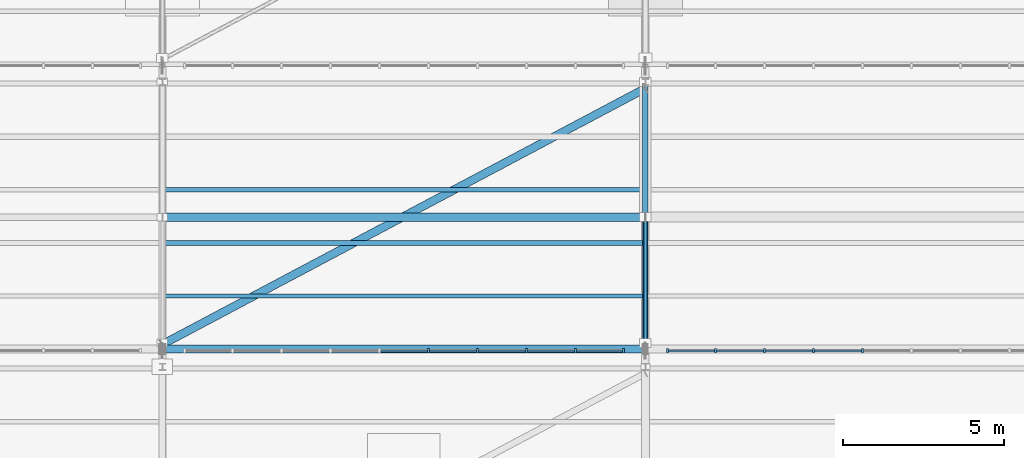
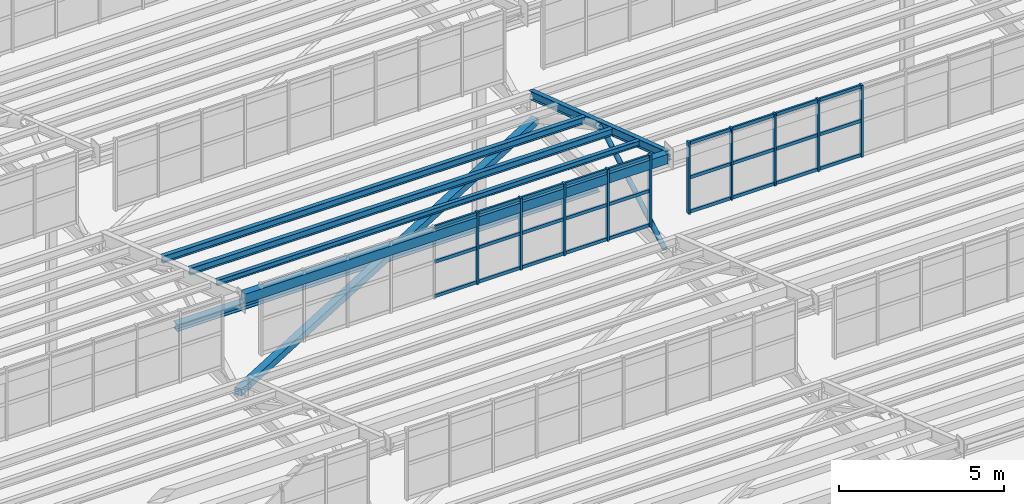
# One storey, part 85 of 285: 41 members, 5 beams, 2 elements without a shape of their own.
"""IFC4 building model written with IfcOpenShell, lengths in metres."""

from ifc_helpers import new_model, si_unit, direction, frame, origin, origin_2d, place, context, subcontext, project, spatial, rectangle, hollow_rectangle, hollow_circle, i_section, extrude, material, material_profile, profile_set, type_object, element, aggregate, save


model = new_model("IFC4")

# Units and contexts
model_context = context("Model", 3, precision=1e-05, world=origin(), true_north=direction((0.0, 1.0)))
body_context = subcontext(model_context, "Body", "Model", "MODEL_VIEW")
ifc_project = project(units=[si_unit("LENGTHUNIT", "METRE"), si_unit("AREAUNIT", "SQUARE_METRE"), si_unit("VOLUMEUNIT", "CUBIC_METRE"), si_unit("PLANEANGLEUNIT", "RADIAN"), si_unit("MASSUNIT", "GRAM", prefix="KILO")], contexts=[model_context])

# Site, building, storey
site_placement = place(None, origin())
site = spatial("IfcSite", under=ifc_project, at=site_placement, CompositionType="ELEMENT")
building_placement = place(site_placement, origin())
building = spatial("IfcBuilding", under=site, at=building_placement, Name="Solanera Park Tramway Depot", CompositionType="ELEMENT")
storey_placement = place(building_placement, origin())
storey = spatial("IfcBuildingStorey", under=building, at=storey_placement, Name="L00", CompositionType="ELEMENT", Elevation=0.0)

# Curtain wall, members
ifc_material_1 = material(Name="Bronze-anodised thermally broken aluminium curtain wall", Category="aluminium")
curtain_wall_type = type_object("IfcCurtainWallType", Name="Sawtooth Clerestory Monitor Curtain Wall", PredefinedType="NOTDEFINED", material=ifc_material_1)
curtain_wall_1_placement = place(storey_placement, origin())
curtain_wall_1 = element("IfcCurtainWall", 1, at=curtain_wall_1_placement, inside=storey, type_object=curtain_wall_type, Name="L00 Sawtooth Clerestory Monitor Curtain Wall #017", PredefinedType="NOTDEFINED")
ifc_material_2 = material(Name="Bronze-anodised structural aluminium 6063-T6", Category="aluminium")
ifc_material_profile_1 = material_profile(ifc_material_2, rectangle(XDim=0.06494140625, YDim=0.14990234375, at=origin_2d()), Name="Curtain Wall Mullion 65x150")
ifc_profile_set_1 = profile_set([ifc_material_profile_1], Name="Bronze-anodised structural aluminium 6063-T6")
member_type_1 = type_object("IfcMemberType", Name="Curtain Wall Mullion 65x150", PredefinedType="MULLION", material=ifc_profile_set_1)
member_1_placement = place(storey_placement, frame((98.260986328125, 73.449951171875, 7.75), z_axis=(0.0, 0.0, 1.0), x_axis=(1.0, 0.0, 0.0)))
member_1 = element("IfcMember", 2, at=member_1_placement, type_object=member_type_1, Name="CW-L00-017 Mullion 6", PredefinedType="MULLION", context=body_context, shape_type="SweptSolid", body=[
    extrude(rectangle(XDim=0.06494140625, YDim=0.14990234375, at=origin_2d()), origin(), (0.0, 0.0, 1.0), 2.6611328125),
])
member_2_placement = place(storey_placement, frame((99.783203125, 73.449951171875, 7.75), z_axis=(0.0, 0.0, 1.0), x_axis=(1.0, 0.0, 0.0)))
member_2 = element("IfcMember", 3, at=member_2_placement, type_object=member_type_1, Name="CW-L00-017 Mullion 7", PredefinedType="MULLION", context=body_context, shape_type="SweptSolid", body=[
    extrude(rectangle(XDim=0.06494140625, YDim=0.14990234375, at=origin_2d()), origin(), (0.0, 0.0, 1.0), 2.6611328125),
])
member_3_placement = place(storey_placement, frame((101.3056640625, 73.449951171875, 7.75), z_axis=(0.0, 0.0, 1.0), x_axis=(1.0, 0.0, 0.0)))
member_3 = element("IfcMember", 4, at=member_3_placement, type_object=member_type_1, Name="CW-L00-017 Mullion 8", PredefinedType="MULLION", context=body_context, shape_type="SweptSolid", body=[
    extrude(rectangle(XDim=0.06494140625, YDim=0.14990234375, at=origin_2d()), origin(), (0.0, 0.0, 1.0), 2.6611328125),
])
member_4_placement = place(storey_placement, frame((102.827880859375, 73.449951171875, 7.75), z_axis=(0.0, 0.0, 1.0), x_axis=(1.0, 0.0, 0.0)))
member_4 = element("IfcMember", 5, at=member_4_placement, type_object=member_type_1, Name="CW-L00-017 Mullion 9", PredefinedType="MULLION", context=body_context, shape_type="SweptSolid", body=[
    extrude(rectangle(XDim=0.06494140625, YDim=0.14990234375, at=origin_2d()), origin(), (0.0, 0.0, 1.0), 2.6611328125),
])
member_5_placement = place(storey_placement, frame((104.3173828125, 73.449951171875, 7.75), z_axis=(0.0, 0.0, 1.0), x_axis=(1.0, 0.0, 0.0)))
member_5 = element("IfcMember", 6, at=member_5_placement, type_object=member_type_1, Name="CW-L00-017 Mullion 10", PredefinedType="MULLION", context=body_context, shape_type="SweptSolid", body=[
    extrude(rectangle(XDim=0.06494140625, YDim=0.14990234375, at=origin_2d()), origin(), (0.0, 0.0, 1.0), 2.6611328125),
])

curtain_wall_2_placement = place(storey_placement, origin())
curtain_wall_2 = element("IfcCurtainWall", 7, at=curtain_wall_2_placement, inside=storey, type_object=curtain_wall_type, Name="L00 Sawtooth Clerestory Monitor Curtain Wall #018", PredefinedType="NOTDEFINED")
member_6_placement = place(storey_placement, frame((105.6826171875, 73.449951171875, 7.75), z_axis=(0.0, 0.0, 1.0), x_axis=(1.0, 0.0, 0.0)))
member_6 = element("IfcMember", 8, at=member_6_placement, type_object=member_type_1, Name="CW-L00-018 Mullion 1", PredefinedType="MULLION", context=body_context, shape_type="SweptSolid", body=[
    extrude(rectangle(XDim=0.06494140625, YDim=0.14990234375, at=origin_2d()), origin(), (0.0, 0.0, 1.0), 2.6611328125),
])
member_7_placement = place(storey_placement, frame((107.172119140625, 73.449951171875, 7.75), z_axis=(0.0, 0.0, 1.0), x_axis=(1.0, 0.0, 0.0)))
member_7 = element("IfcMember", 9, at=member_7_placement, type_object=member_type_1, Name="CW-L00-018 Mullion 2", PredefinedType="MULLION", context=body_context, shape_type="SweptSolid", body=[
    extrude(rectangle(XDim=0.06494140625, YDim=0.14990234375, at=origin_2d()), origin(), (0.0, 0.0, 1.0), 2.6611328125),
])
member_8_placement = place(storey_placement, frame((108.6943359375, 73.449951171875, 7.75), z_axis=(0.0, 0.0, 1.0), x_axis=(1.0, 0.0, 0.0)))
member_8 = element("IfcMember", 10, at=member_8_placement, type_object=member_type_1, Name="CW-L00-018 Mullion 3", PredefinedType="MULLION", context=body_context, shape_type="SweptSolid", body=[
    extrude(rectangle(XDim=0.06494140625, YDim=0.14990234375, at=origin_2d()), origin(), (0.0, 0.0, 1.0), 2.6611328125),
])
member_9_placement = place(storey_placement, frame((110.216796875, 73.449951171875, 7.75), z_axis=(0.0, 0.0, 1.0), x_axis=(1.0, 0.0, 0.0)))
member_9 = element("IfcMember", 11, at=member_9_placement, type_object=member_type_1, Name="CW-L00-018 Mullion 4", PredefinedType="MULLION", context=body_context, shape_type="SweptSolid", body=[
    extrude(rectangle(XDim=0.06494140625, YDim=0.14990234375, at=origin_2d()), origin(), (0.0, 0.0, 1.0), 2.6611328125),
])
member_10_placement = place(storey_placement, frame((111.739013671875, 73.449951171875, 7.75), z_axis=(0.0, 0.0, 1.0), x_axis=(1.0, 0.0, 0.0)))
member_10 = element("IfcMember", 12, at=member_10_placement, type_object=member_type_1, Name="CW-L00-018 Mullion 5", PredefinedType="MULLION", context=body_context, shape_type="SweptSolid", body=[
    extrude(rectangle(XDim=0.06494140625, YDim=0.14990234375, at=origin_2d()), origin(), (0.0, 0.0, 1.0), 2.6611328125),
])

# Member
ifc_material_3 = material(Name="Bronze-anodised structural aluminium 6063-T6", Category="aluminium")
ifc_material_profile_2 = material_profile(ifc_material_3, rectangle(XDim=0.06494140625, YDim=0.1201171875, at=origin_2d()), Name="Curtain Wall Transom 65x120")
ifc_profile_set_2 = profile_set([ifc_material_profile_2], Name="Bronze-anodised structural aluminium 6063-T6")
member_type_2 = type_object("IfcMemberType", Name="Curtain Wall Transom 65x120", PredefinedType="USERDEFINED", material=ifc_profile_set_2)
member_11_placement = place(storey_placement, frame((96.766845703125, 73.449951171875, 7.81005859375), z_axis=(1.0, 0.0, 0.0), x_axis=(0.0, 1.0, 0.0)))
member_11 = element("IfcMember", 13, at=member_11_placement, type_object=member_type_2, Name="CW-L00-017 Transom R1.C5", ObjectType="TRANSOM", PredefinedType="USERDEFINED", context=body_context, shape_type="SweptSolid", body=[
    extrude(rectangle(XDim=0.06494140625, YDim=0.1201171875, at=origin_2d()), origin(), (0.0, 0.0, 1.0), 1.46630859375),
])

member_12_placement = place(storey_placement, frame((98.2890625, 73.449951171875, 7.81005859375), z_axis=(1.0, 0.0, 0.0), x_axis=(0.0, 1.0, 0.0)))
member_12 = element("IfcMember", 14, at=member_12_placement, type_object=member_type_2, Name="CW-L00-017 Transom R1.C6", ObjectType="TRANSOM", PredefinedType="USERDEFINED", context=body_context, shape_type="SweptSolid", body=[
    extrude(rectangle(XDim=0.06494140625, YDim=0.1201171875, at=origin_2d()), origin(), (0.0, 0.0, 1.0), 1.46630859375),
])

member_13_placement = place(storey_placement, frame((99.811279296875, 73.449951171875, 7.81005859375), z_axis=(1.0, 0.0, 0.0), x_axis=(0.0, 1.0, 0.0)))
member_13 = element("IfcMember", 15, at=member_13_placement, type_object=member_type_2, Name="CW-L00-017 Transom R1.C7", ObjectType="TRANSOM", PredefinedType="USERDEFINED", context=body_context, shape_type="SweptSolid", body=[
    extrude(rectangle(XDim=0.06494140625, YDim=0.1201171875, at=origin_2d()), origin(), (0.0, 0.0, 1.0), 1.46630859375),
])

member_14_placement = place(storey_placement, frame((101.33349609375, 73.449951171875, 7.81005859375), z_axis=(1.0, 0.0, 0.0), x_axis=(0.0, 1.0, 0.0)))
member_14 = element("IfcMember", 16, at=member_14_placement, type_object=member_type_2, Name="CW-L00-017 Transom R1.C8", ObjectType="TRANSOM", PredefinedType="USERDEFINED", context=body_context, shape_type="SweptSolid", body=[
    extrude(rectangle(XDim=0.06494140625, YDim=0.1201171875, at=origin_2d()), origin(), (0.0, 0.0, 1.0), 1.46630859375),
])

member_15_placement = place(storey_placement, frame((102.855712890625, 73.449951171875, 7.81005859375), z_axis=(1.0, 0.0, 0.0), x_axis=(0.0, 1.0, 0.0)))
member_15 = element("IfcMember", 17, at=member_15_placement, type_object=member_type_2, Name="CW-L00-017 Transom R1.C9", ObjectType="TRANSOM", PredefinedType="USERDEFINED", context=body_context, shape_type="SweptSolid", body=[
    extrude(rectangle(XDim=0.06494140625, YDim=0.1201171875, at=origin_2d()), origin(), (0.0, 0.0, 1.0), 1.433837890625),
])

member_16_placement = place(storey_placement, frame((96.766845703125, 73.449951171875, 9.08056640625), z_axis=(1.0, 0.0, 0.0), x_axis=(0.0, 1.0, 0.0)))
member_16 = element("IfcMember", 18, at=member_16_placement, type_object=member_type_2, Name="CW-L00-017 Transom R2.C5", ObjectType="TRANSOM", PredefinedType="USERDEFINED", context=body_context, shape_type="SweptSolid", body=[
    extrude(rectangle(XDim=0.06494140625, YDim=0.1201171875, at=origin_2d()), origin(), (0.0, 0.0, 1.0), 1.46630859375),
])

member_17_placement = place(storey_placement, frame((98.2890625, 73.449951171875, 9.08056640625), z_axis=(1.0, 0.0, 0.0), x_axis=(0.0, 1.0, 0.0)))
member_17 = element("IfcMember", 19, at=member_17_placement, type_object=member_type_2, Name="CW-L00-017 Transom R2.C6", ObjectType="TRANSOM", PredefinedType="USERDEFINED", context=body_context, shape_type="SweptSolid", body=[
    extrude(rectangle(XDim=0.06494140625, YDim=0.1201171875, at=origin_2d()), origin(), (0.0, 0.0, 1.0), 1.46630859375),
])

member_18_placement = place(storey_placement, frame((99.811279296875, 73.449951171875, 9.08056640625), z_axis=(1.0, 0.0, 0.0), x_axis=(0.0, 1.0, 0.0)))
member_18 = element("IfcMember", 20, at=member_18_placement, type_object=member_type_2, Name="CW-L00-017 Transom R2.C7", ObjectType="TRANSOM", PredefinedType="USERDEFINED", context=body_context, shape_type="SweptSolid", body=[
    extrude(rectangle(XDim=0.06494140625, YDim=0.1201171875, at=origin_2d()), origin(), (0.0, 0.0, 1.0), 1.46630859375),
])

member_19_placement = place(storey_placement, frame((101.33349609375, 73.449951171875, 9.08056640625), z_axis=(1.0, 0.0, 0.0), x_axis=(0.0, 1.0, 0.0)))
member_19 = element("IfcMember", 21, at=member_19_placement, type_object=member_type_2, Name="CW-L00-017 Transom R2.C8", ObjectType="TRANSOM", PredefinedType="USERDEFINED", context=body_context, shape_type="SweptSolid", body=[
    extrude(rectangle(XDim=0.06494140625, YDim=0.1201171875, at=origin_2d()), origin(), (0.0, 0.0, 1.0), 1.46630859375),
])

member_20_placement = place(storey_placement, frame((102.855712890625, 73.449951171875, 9.08056640625), z_axis=(1.0, 0.0, 0.0), x_axis=(0.0, 1.0, 0.0)))
member_20 = element("IfcMember", 22, at=member_20_placement, type_object=member_type_2, Name="CW-L00-017 Transom R2.C9", ObjectType="TRANSOM", PredefinedType="USERDEFINED", context=body_context, shape_type="SweptSolid", body=[
    extrude(rectangle(XDim=0.06494140625, YDim=0.1201171875, at=origin_2d()), origin(), (0.0, 0.0, 1.0), 1.433837890625),
])

member_21_placement = place(storey_placement, frame((96.766845703125, 73.449951171875, 10.351318359375), z_axis=(1.0, 0.0, 0.0), x_axis=(0.0, 1.0, 0.0)))
member_21 = element("IfcMember", 23, at=member_21_placement, type_object=member_type_2, Name="CW-L00-017 Transom R3.C5", ObjectType="TRANSOM", PredefinedType="USERDEFINED", context=body_context, shape_type="SweptSolid", body=[
    extrude(rectangle(XDim=0.06494140625, YDim=0.1201171875, at=origin_2d()), origin(), (0.0, 0.0, 1.0), 1.46630859375),
])

member_22_placement = place(storey_placement, frame((98.2890625, 73.449951171875, 10.351318359375), z_axis=(1.0, 0.0, 0.0), x_axis=(0.0, 1.0, 0.0)))
member_22 = element("IfcMember", 24, at=member_22_placement, type_object=member_type_2, Name="CW-L00-017 Transom R3.C6", ObjectType="TRANSOM", PredefinedType="USERDEFINED", context=body_context, shape_type="SweptSolid", body=[
    extrude(rectangle(XDim=0.06494140625, YDim=0.1201171875, at=origin_2d()), origin(), (0.0, 0.0, 1.0), 1.46630859375),
])

member_23_placement = place(storey_placement, frame((99.811279296875, 73.449951171875, 10.351318359375), z_axis=(1.0, 0.0, 0.0), x_axis=(0.0, 1.0, 0.0)))
member_23 = element("IfcMember", 25, at=member_23_placement, type_object=member_type_2, Name="CW-L00-017 Transom R3.C7", ObjectType="TRANSOM", PredefinedType="USERDEFINED", context=body_context, shape_type="SweptSolid", body=[
    extrude(rectangle(XDim=0.06494140625, YDim=0.1201171875, at=origin_2d()), origin(), (0.0, 0.0, 1.0), 1.46630859375),
])

member_24_placement = place(storey_placement, frame((101.33349609375, 73.449951171875, 10.351318359375), z_axis=(1.0, 0.0, 0.0), x_axis=(0.0, 1.0, 0.0)))
member_24 = element("IfcMember", 26, at=member_24_placement, type_object=member_type_2, Name="CW-L00-017 Transom R3.C8", ObjectType="TRANSOM", PredefinedType="USERDEFINED", context=body_context, shape_type="SweptSolid", body=[
    extrude(rectangle(XDim=0.06494140625, YDim=0.1201171875, at=origin_2d()), origin(), (0.0, 0.0, 1.0), 1.46630859375),
])

member_25_placement = place(storey_placement, frame((102.855712890625, 73.449951171875, 10.351318359375), z_axis=(1.0, 0.0, 0.0), x_axis=(0.0, 1.0, 0.0)))
member_25 = element("IfcMember", 27, at=member_25_placement, type_object=member_type_2, Name="CW-L00-017 Transom R3.C9", ObjectType="TRANSOM", PredefinedType="USERDEFINED", context=body_context, shape_type="SweptSolid", body=[
    extrude(rectangle(XDim=0.06494140625, YDim=0.1201171875, at=origin_2d()), origin(), (0.0, 0.0, 1.0), 1.433837890625),
])

aggregate(curtain_wall_1, [member_1, member_2, member_3, member_4, member_5, member_11, member_12, member_13, member_14, member_15, member_16, member_17, member_18, member_19, member_20, member_21, member_22, member_23, member_24, member_25])

member_26_placement = place(storey_placement, frame((105.71044921875, 73.449951171875, 7.81005859375), z_axis=(1.0, 0.0, 0.0), x_axis=(0.0, 1.0, 0.0)))
member_26 = element("IfcMember", 28, at=member_26_placement, type_object=member_type_2, Name="CW-L00-018 Transom R1.C1", ObjectType="TRANSOM", PredefinedType="USERDEFINED", context=body_context, shape_type="SweptSolid", body=[
    extrude(rectangle(XDim=0.06494140625, YDim=0.1201171875, at=origin_2d()), origin(), (0.0, 0.0, 1.0), 1.433837890625),
])

member_27_placement = place(storey_placement, frame((107.2001953125, 73.449951171875, 7.81005859375), z_axis=(1.0, 0.0, 0.0), x_axis=(0.0, 1.0, 0.0)))
member_27 = element("IfcMember", 29, at=member_27_placement, type_object=member_type_2, Name="CW-L00-018 Transom R1.C2", ObjectType="TRANSOM", PredefinedType="USERDEFINED", context=body_context, shape_type="SweptSolid", body=[
    extrude(rectangle(XDim=0.06494140625, YDim=0.1201171875, at=origin_2d()), origin(), (0.0, 0.0, 1.0), 1.46630859375),
])

member_28_placement = place(storey_placement, frame((108.722412109375, 73.449951171875, 7.81005859375), z_axis=(1.0, 0.0, 0.0), x_axis=(0.0, 1.0, 0.0)))
member_28 = element("IfcMember", 30, at=member_28_placement, type_object=member_type_2, Name="CW-L00-018 Transom R1.C3", ObjectType="TRANSOM", PredefinedType="USERDEFINED", context=body_context, shape_type="SweptSolid", body=[
    extrude(rectangle(XDim=0.06494140625, YDim=0.1201171875, at=origin_2d()), origin(), (0.0, 0.0, 1.0), 1.46630859375),
])

member_29_placement = place(storey_placement, frame((110.24462890625, 73.449951171875, 7.81005859375), z_axis=(1.0, 0.0, 0.0), x_axis=(0.0, 1.0, 0.0)))
member_29 = element("IfcMember", 31, at=member_29_placement, type_object=member_type_2, Name="CW-L00-018 Transom R1.C4", ObjectType="TRANSOM", PredefinedType="USERDEFINED", context=body_context, shape_type="SweptSolid", body=[
    extrude(rectangle(XDim=0.06494140625, YDim=0.1201171875, at=origin_2d()), origin(), (0.0, 0.0, 1.0), 1.46630859375),
])

member_30_placement = place(storey_placement, frame((105.71044921875, 73.449951171875, 9.08056640625), z_axis=(1.0, 0.0, 0.0), x_axis=(0.0, 1.0, 0.0)))
member_30 = element("IfcMember", 32, at=member_30_placement, type_object=member_type_2, Name="CW-L00-018 Transom R2.C1", ObjectType="TRANSOM", PredefinedType="USERDEFINED", context=body_context, shape_type="SweptSolid", body=[
    extrude(rectangle(XDim=0.06494140625, YDim=0.1201171875, at=origin_2d()), origin(), (0.0, 0.0, 1.0), 1.433837890625),
])

member_31_placement = place(storey_placement, frame((107.2001953125, 73.449951171875, 9.08056640625), z_axis=(1.0, 0.0, 0.0), x_axis=(0.0, 1.0, 0.0)))
member_31 = element("IfcMember", 33, at=member_31_placement, type_object=member_type_2, Name="CW-L00-018 Transom R2.C2", ObjectType="TRANSOM", PredefinedType="USERDEFINED", context=body_context, shape_type="SweptSolid", body=[
    extrude(rectangle(XDim=0.06494140625, YDim=0.1201171875, at=origin_2d()), origin(), (0.0, 0.0, 1.0), 1.46630859375),
])

member_32_placement = place(storey_placement, frame((108.722412109375, 73.449951171875, 9.08056640625), z_axis=(1.0, 0.0, 0.0), x_axis=(0.0, 1.0, 0.0)))
member_32 = element("IfcMember", 34, at=member_32_placement, type_object=member_type_2, Name="CW-L00-018 Transom R2.C3", ObjectType="TRANSOM", PredefinedType="USERDEFINED", context=body_context, shape_type="SweptSolid", body=[
    extrude(rectangle(XDim=0.06494140625, YDim=0.1201171875, at=origin_2d()), origin(), (0.0, 0.0, 1.0), 1.46630859375),
])

member_33_placement = place(storey_placement, frame((110.24462890625, 73.449951171875, 9.08056640625), z_axis=(1.0, 0.0, 0.0), x_axis=(0.0, 1.0, 0.0)))
member_33 = element("IfcMember", 35, at=member_33_placement, type_object=member_type_2, Name="CW-L00-018 Transom R2.C4", ObjectType="TRANSOM", PredefinedType="USERDEFINED", context=body_context, shape_type="SweptSolid", body=[
    extrude(rectangle(XDim=0.06494140625, YDim=0.1201171875, at=origin_2d()), origin(), (0.0, 0.0, 1.0), 1.46630859375),
])

member_34_placement = place(storey_placement, frame((105.71044921875, 73.449951171875, 10.351318359375), z_axis=(1.0, 0.0, 0.0), x_axis=(0.0, 1.0, 0.0)))
member_34 = element("IfcMember", 36, at=member_34_placement, type_object=member_type_2, Name="CW-L00-018 Transom R3.C1", ObjectType="TRANSOM", PredefinedType="USERDEFINED", context=body_context, shape_type="SweptSolid", body=[
    extrude(rectangle(XDim=0.06494140625, YDim=0.1201171875, at=origin_2d()), origin(), (0.0, 0.0, 1.0), 1.433837890625),
])

member_35_placement = place(storey_placement, frame((107.2001953125, 73.449951171875, 10.351318359375), z_axis=(1.0, 0.0, 0.0), x_axis=(0.0, 1.0, 0.0)))
member_35 = element("IfcMember", 37, at=member_35_placement, type_object=member_type_2, Name="CW-L00-018 Transom R3.C2", ObjectType="TRANSOM", PredefinedType="USERDEFINED", context=body_context, shape_type="SweptSolid", body=[
    extrude(rectangle(XDim=0.06494140625, YDim=0.1201171875, at=origin_2d()), origin(), (0.0, 0.0, 1.0), 1.46630859375),
])

member_36_placement = place(storey_placement, frame((108.722412109375, 73.449951171875, 10.351318359375), z_axis=(1.0, 0.0, 0.0), x_axis=(0.0, 1.0, 0.0)))
member_36 = element("IfcMember", 38, at=member_36_placement, type_object=member_type_2, Name="CW-L00-018 Transom R3.C3", ObjectType="TRANSOM", PredefinedType="USERDEFINED", context=body_context, shape_type="SweptSolid", body=[
    extrude(rectangle(XDim=0.06494140625, YDim=0.1201171875, at=origin_2d()), origin(), (0.0, 0.0, 1.0), 1.46630859375),
])

member_37_placement = place(storey_placement, frame((110.24462890625, 73.449951171875, 10.351318359375), z_axis=(1.0, 0.0, 0.0), x_axis=(0.0, 1.0, 0.0)))
member_37 = element("IfcMember", 39, at=member_37_placement, type_object=member_type_2, Name="CW-L00-018 Transom R3.C4", ObjectType="TRANSOM", PredefinedType="USERDEFINED", context=body_context, shape_type="SweptSolid", body=[
    extrude(rectangle(XDim=0.06494140625, YDim=0.1201171875, at=origin_2d()), origin(), (0.0, 0.0, 1.0), 1.46630859375),
])

aggregate(curtain_wall_2, [member_6, member_7, member_8, member_9, member_10, member_26, member_27, member_28, member_29, member_30, member_31, member_32, member_33, member_34, member_35, member_36, member_37])

# Members
ifc_material_4 = material(Name="Steel AS/NZS 1163 Grade C350L0", Category="steel")
ifc_material_profile_3 = material_profile(ifc_material_4, hollow_circle(Radius=0.084228515625, WallThickness=0.00634765625, at=origin_2d()), Name="168.3x6.4 CHS")
ifc_profile_set_3 = profile_set([ifc_material_profile_3], Name="Steel AS/NZS 1163 Grade C350L0")
member_type_3 = type_object("IfcMemberType", Name="Roof Gantry Compression Strut 168.3x6.4 CHS", PredefinedType="STRUT", material=ifc_profile_set_3)
member_38_placement = place(storey_placement, frame((105.0, 73.699951171875, 6.5), z_axis=(0.0, 0.866897509249, 0.498486417525), x_axis=(-1.0, 0.0, 0.0)))
element("IfcMember", 40, at=member_38_placement, inside=storey, type_object=member_type_3, Name="Sawtooth ROOF TRUSS Strut 168.3x6.4 CHS #0108", PredefinedType="STRUT", context=body_context, shape_type="SweptSolid", body=[
    extrude(hollow_circle(Radius=0.084228515625, WallThickness=0.00634765625, at=origin_2d()), origin(), (0.0, 0.0, 1.0), 4.4990234375),
])
ifc_material_5 = material(Name="Steel AS/NZS 3679.1 Grade 350", Category="steel")
ifc_material_profile_4 = material_profile(ifc_material_5, i_section(OverallWidth=0.25390625, OverallDepth=0.25390625, WebThickness=0.008544921875, FlangeThickness=0.01416015625, at=origin_2d()), Name="250UC72.9")
ifc_profile_set_4 = profile_set([ifc_material_profile_4], Name="Steel AS/NZS 3679.1 Grade 350")
member_type_4 = type_object("IfcMemberType", Name="Secondary Truss Chord 250UC72.9", PredefinedType="CHORD", material=ifc_profile_set_4)
member_39_placement = place(storey_placement, frame((90.087890625, 77.60009765625, 6.5), z_axis=(1.0, 0.0, 0.0), x_axis=(0.0, 1.0, 0.0)))
element("IfcMember", 41, at=member_39_placement, inside=storey, type_object=member_type_4, Name="Sawtooth Longitudinal Tie Chord 250UC72.9 #0126", PredefinedType="CHORD", context=body_context, shape_type="SweptSolid", body=[
    extrude(i_section(OverallWidth=0.25390625, OverallDepth=0.25390625, WebThickness=0.008544921875, FlangeThickness=0.01416015625, at=origin_2d()), origin(), (0.0, 0.0, 1.0), 14.82421875),
])

# Beams
ifc_material_6 = material(Name="Steel AS/NZS 3679.1 Grade 350", Category="steel")
ifc_material_profile_5 = material_profile(ifc_material_6, i_section(OverallWidth=0.166015625, OverallDepth=0.30712890625, WebThickness=0.006591796875, FlangeThickness=0.01171875, at=origin_2d()), Name="310UB46.2")
ifc_profile_set_5 = profile_set([ifc_material_profile_5], Name="Steel AS/NZS 3679.1 Grade 350")
beam_type_1 = type_object("IfcBeamType", Name="Steel Beam 310UB46.2", PredefinedType="BEAM", material=ifc_profile_set_5)
beam_1_placement = place(storey_placement, frame((105.0, 73.449951171875, 10.131103515625), z_axis=(0.0, 0.948330572612, -0.317283981709), x_axis=(-1.0, 0.0, 0.0)))
element("IfcBeam", 42, at=beam_1_placement, inside=storey, type_object=beam_type_1, Name="Sawtooth ROOF TRUSS Top Rafter 310UB46.2 B03-T8", PredefinedType="BEAM", context=body_context, shape_type="SweptSolid", body=[
    extrude(i_section(OverallWidth=0.166015625, OverallDepth=0.30712890625, WebThickness=0.006591796875, FlangeThickness=0.01171875, at=origin_2d()), origin(), (0.0, 0.0, 1.0), 8.804931640625),
])
ifc_material_7 = material(Name="Steel AS/NZS 3679.1 Grade 350", Category="steel")
ifc_material_profile_6 = material_profile(ifc_material_7, i_section(OverallWidth=0.13330078125, OverallDepth=0.203125, WebThickness=0.005859375, FlangeThickness=0.0078125, at=origin_2d()), Name="200UB25.4")
ifc_profile_set_6 = profile_set([ifc_material_profile_6], Name="Steel AS/NZS 3679.1 Grade 350")
beam_type_2 = type_object("IfcBeamType", Name="Steel Joist Purlin 200UB25.4", PredefinedType="JOIST", material=ifc_profile_set_6)
beam_2_placement = place(storey_placement, frame((90.0966796875, 75.14990234375, 9.614013671875), z_axis=(1.0, 0.0, 0.0), x_axis=(0.0, 1.0, 0.0)))
element("IfcBeam", 43, at=beam_2_placement, inside=storey, type_object=beam_type_2, Name="Sawtooth Roof Purlin 200UB25.4 B03.2", PredefinedType="JOIST", context=body_context, shape_type="SweptSolid", body=[
    extrude(i_section(OverallWidth=0.13330078125, OverallDepth=0.203125, WebThickness=0.005859375, FlangeThickness=0.0078125, at=origin_2d()), origin(), (0.0, 0.0, 1.0), 14.828369140625),
])
ifc_material_8 = material(Name="Steel AS/NZS 3679.1 Grade 350", Category="steel")
ifc_material_profile_7 = material_profile(ifc_material_8, i_section(OverallWidth=0.14599609375, OverallDepth=0.251708984375, WebThickness=0.006103515625, FlangeThickness=0.008544921875, at=origin_2d()), Name="250UB31.4")
ifc_profile_set_7 = profile_set([ifc_material_profile_7], Name="Steel AS/NZS 3679.1 Grade 350")
beam_type_3 = type_object("IfcBeamType", Name="Steel Joist Purlin 250UB31.4", PredefinedType="JOIST", material=ifc_profile_set_7)
beam_3_placement = place(storey_placement, frame((90.0966796875, 76.800048828125, 9.03564453125), z_axis=(1.0, 0.0, 0.0), x_axis=(0.0, 1.0, 0.0)))
element("IfcBeam", 44, at=beam_3_placement, inside=storey, type_object=beam_type_3, Name="Sawtooth Roof Purlin 250UB31.4 B03.3", PredefinedType="JOIST", context=body_context, shape_type="SweptSolid", body=[
    extrude(i_section(OverallWidth=0.14599609375, OverallDepth=0.251708984375, WebThickness=0.006103515625, FlangeThickness=0.008544921875, at=origin_2d()), origin(), (0.0, 0.0, 1.0), 14.828369140625),
])
ifc_material_9 = material(Name="Steel AS/NZS 3679.1 Grade 350", Category="steel")
ifc_material_profile_8 = material_profile(ifc_material_9, i_section(OverallWidth=0.146484375, OverallDepth=0.256103515625, WebThickness=0.00634765625, FlangeThickness=0.010986328125, at=origin_2d()), Name="250UB37.3")
ifc_profile_set_8 = profile_set([ifc_material_profile_8], Name="Steel AS/NZS 3679.1 Grade 350")
beam_type_4 = type_object("IfcBeamType", Name="Steel Joist Purlin 250UB37.3", PredefinedType="JOIST", material=ifc_profile_set_8)
beam_4_placement = place(storey_placement, frame((90.0966796875, 78.449951171875, 8.481201171875), z_axis=(1.0, 0.0, 0.0), x_axis=(0.0, 1.0, 0.0)))
element("IfcBeam", 45, at=beam_4_placement, inside=storey, type_object=beam_type_4, Name="Sawtooth Roof Purlin 250UB37.3 B03.4", PredefinedType="JOIST", context=body_context, shape_type="SweptSolid", body=[
    extrude(i_section(OverallWidth=0.146484375, OverallDepth=0.256103515625, WebThickness=0.00634765625, FlangeThickness=0.010986328125, at=origin_2d()), origin(), (0.0, 0.0, 1.0), 14.828369140625),
])
ifc_material_10 = material(Name="Steel AS/NZS 1163 Grade C350L0", Category="steel")
ifc_material_profile_9 = material_profile(ifc_material_10, hollow_rectangle(XDim=0.25, YDim=0.35009765625, WallThickness=0.010009765625, at=origin_2d()), Name="350x250x10.0 RHS")
ifc_profile_set_9 = profile_set([ifc_material_profile_9], Name="Steel AS/NZS 1163 Grade C350L0")
beam_type_5 = type_object("IfcBeamType", Name="Steel Joist Purlin 350x250x10.0 RHS", PredefinedType="JOIST", material=ifc_profile_set_9)
beam_5_placement = place(storey_placement, frame((90.0966796875, 73.5, 10.0732421875), z_axis=(1.0, 0.0, 0.0), x_axis=(0.0, 1.0, 0.0)))
element("IfcBeam", 46, at=beam_5_placement, inside=storey, type_object=beam_type_5, Name="Sawtooth Roof Purlin 350x250x10.0 RHS B03.1", PredefinedType="JOIST", context=body_context, shape_type="SweptSolid", body=[
    extrude(hollow_rectangle(XDim=0.25, YDim=0.35009765625, WallThickness=0.010009765625, at=origin_2d()), origin(), (0.0, 0.0, 1.0), 14.828369140625),
])

# Members
ifc_material_11 = material(Name="Steel AS/NZS 1163 Grade C350L0", Category="steel")
ifc_material_profile_10 = material_profile(ifc_material_11, hollow_rectangle(XDim=0.10009765625, YDim=0.10009765625, WallThickness=0.0048828125, at=origin_2d()), Name="100x100x5.0 SHS")
ifc_profile_set_10 = profile_set([ifc_material_profile_10], Name="Steel AS/NZS 1163 Grade C350L0")
member_type_5 = type_object("IfcMemberType", Name="Truss and Frame Brace 100x100x5.0 SHS", PredefinedType="BRACE", material=ifc_profile_set_10)
member_40_placement = place(storey_placement, frame((105.0, 77.60009765625, 6.5), z_axis=(0.0, -0.752601377508, 0.658476397886), x_axis=(1.0, 0.0, 0.0)))
element("IfcMember", 47, at=member_40_placement, inside=storey, type_object=member_type_5, Name="Sawtooth ROOF TRUSS Web Brace 100x100x5.0 SHS #0106", PredefinedType="BRACE", context=body_context, shape_type="SweptSolid", body=[
    extrude(hollow_rectangle(XDim=0.10009765625, YDim=0.10009765625, WallThickness=0.0048828125, at=origin_2d()), origin(), (0.0, 0.0, 1.0), 5.514404296875),
])
ifc_material_12 = material(Name="Steel AS/NZS 1163 Grade C350L0", Category="steel")
ifc_material_profile_11 = material_profile(ifc_material_12, hollow_rectangle(XDim=0.25, YDim=0.25, WallThickness=0.010009765625, at=origin_2d()), Name="250x250x10.0 SHS")
ifc_profile_set_11 = profile_set([ifc_material_profile_11], Name="Steel AS/NZS 1163 Grade C350L0")
member_type_6 = type_object("IfcMemberType", Name="Truss and Frame Brace 250x250x10.0 SHS", PredefinedType="BRACE", material=ifc_profile_set_11)
member_41_placement = place(storey_placement, frame((90.001953125, 73.64990234375, 6.5), z_axis=(0.883517662461, 0.468397843846, 0.0), x_axis=(-0.468397843846, 0.883517662461, 0.0)))
element("IfcMember", 48, at=member_41_placement, inside=storey, type_object=member_type_6, Name="Roof Plane Cyclonic Brace 250x250x10.0 SHS #0127", PredefinedType="BRACE", context=body_context, shape_type="SweptSolid", body=[
    extrude(hollow_rectangle(XDim=0.25, YDim=0.25, WallThickness=0.010009765625, at=origin_2d()), origin(), (0.0, 0.0, 1.0), 16.97314453125),
])

save(model, "model.ifc")
